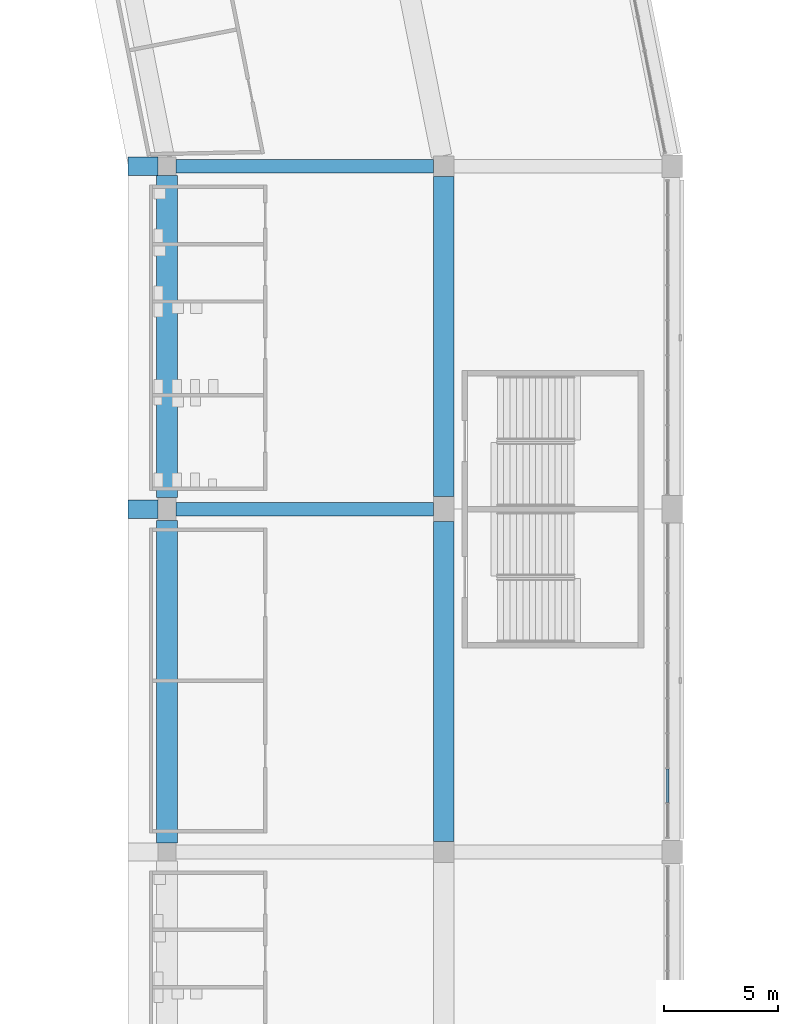
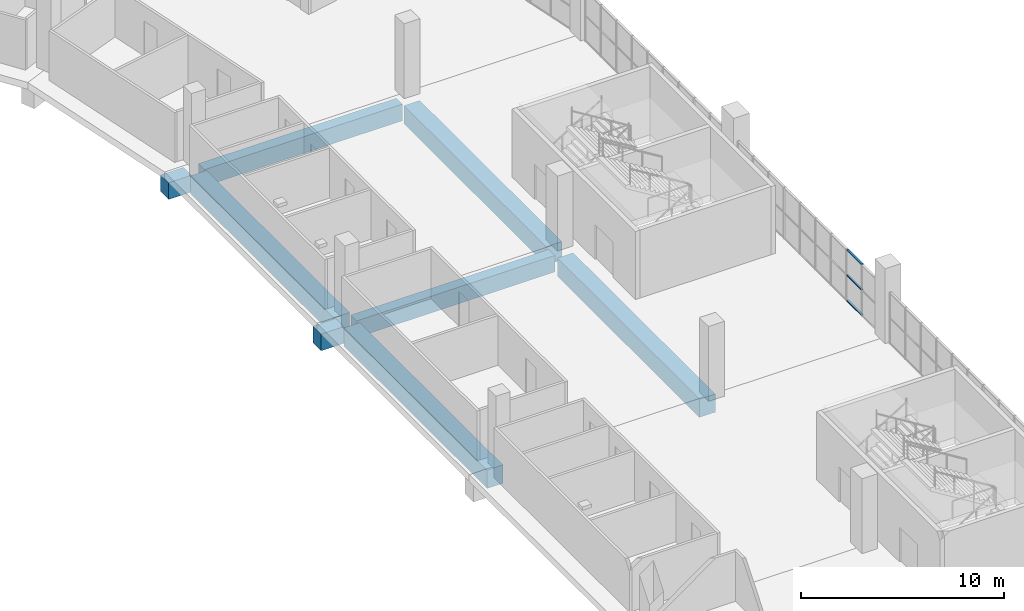
# One storey, part 48 of 199: 8 beams, 3 members, 1 element without a shape of its own.
"""IFC4 building model written with IfcOpenShell, lengths in metres."""

from ifc_helpers import new_model, si_unit, direction, frame, origin, origin_2d, place, context, subcontext, project, spatial, rectangle, extrude, material, material_profile, profile_set, type_object, element, aggregate, save


model = new_model("IFC4")

# Units and contexts
model_context = context("Model", 3, precision=1e-05, world=origin(), true_north=direction((0.0, 1.0)))
body_context = subcontext(model_context, "Body", "Model", "MODEL_VIEW")
ifc_project = project(units=[si_unit("LENGTHUNIT", "METRE"), si_unit("AREAUNIT", "SQUARE_METRE"), si_unit("VOLUMEUNIT", "CUBIC_METRE"), si_unit("PLANEANGLEUNIT", "RADIAN"), si_unit("MASSUNIT", "GRAM", prefix="KILO")], contexts=[model_context])

# Site, building, storey
site_placement = place(None, origin())
site = spatial("IfcSite", under=ifc_project, at=site_placement, CompositionType="ELEMENT")
building_placement = place(site_placement, origin())
building = spatial("IfcBuilding", under=site, at=building_placement, Name="Ogive Plaza Stadium", CompositionType="ELEMENT")
storey_placement = place(building_placement, frame((0.0, 0.0, 4.5)))
storey = spatial("IfcBuildingStorey", under=building, at=storey_placement, Name="L01", CompositionType="ELEMENT", Elevation=4.5)

# Curtain wall, members
ifc_material_1 = material(Name="Bronze-anodised aluminium with laminated glass", Category="aluminium")
curtain_wall_type = type_object("IfcCurtainWallType", Name="Lancet curtain wall", PredefinedType="NOTDEFINED", material=ifc_material_1)
curtain_wall_placement = place(storey_placement, origin())
curtain_wall = element("IfcCurtainWall", 1, at=curtain_wall_placement, inside=storey, type_object=curtain_wall_type, Name="CURTAIN WALL B02 L01", PredefinedType="NOTDEFINED")
ifc_material_2 = material(Name="Bronze-anodised aluminium", Category="aluminium")
ifc_material_profile_1 = material_profile(ifc_material_2, rectangle(XDim=0.1201171875, YDim=0.050048828125, at=origin_2d()), Name="AL 120x50")
ifc_profile_set_1 = profile_set([ifc_material_profile_1], Name="Bronze-anodised aluminium")
member_type = type_object("IfcMemberType", Name="Curtain wall transom 50x120", PredefinedType="USERDEFINED", material=ifc_profile_set_1)
member_1_placement = place(storey_placement, frame((83.800048828125, 26.1416015625, 0.02490234375), z_axis=(0.0, -1.0, 0.0), x_axis=(1.0, 0.0, 0.0)))
member_1 = element("IfcMember", 2, at=member_1_placement, type_object=member_type, Name="CW-B02-L01 transom 8.1", ObjectType="TRANSOM", PredefinedType="USERDEFINED", context=body_context, shape_type="SweptSolid", body=[
    extrude(rectangle(XDim=0.1201171875, YDim=0.050048828125, at=origin_2d()), origin(), (0.0, 0.0, 1.0), 1.483154296875),
])
member_2_placement = place(storey_placement, frame((83.800048828125, 26.1416015625, 1.544921875), z_axis=(0.0, -1.0, 0.0), x_axis=(1.0, 0.0, 0.0)))
member_2 = element("IfcMember", 3, at=member_2_placement, type_object=member_type, Name="CW-B02-L01 transom 8.2", ObjectType="TRANSOM", PredefinedType="USERDEFINED", context=body_context, shape_type="SweptSolid", body=[
    extrude(rectangle(XDim=0.1201171875, YDim=0.050048828125, at=origin_2d()), origin(), (0.0, 0.0, 1.0), 1.483154296875),
])
member_3_placement = place(storey_placement, frame((83.800048828125, 26.1416015625, 3.06494140625), z_axis=(0.0, -1.0, 0.0), x_axis=(1.0, 0.0, 0.0)))
member_3 = element("IfcMember", 4, at=member_3_placement, type_object=member_type, Name="CW-B02-L01 transom 8.3", ObjectType="TRANSOM", PredefinedType="USERDEFINED", context=body_context, shape_type="SweptSolid", body=[
    extrude(rectangle(XDim=0.1201171875, YDim=0.050048828125, at=origin_2d()), origin(), (0.0, 0.0, 1.0), 1.483154296875),
])
aggregate(curtain_wall, [member_1, member_2, member_3])

# Beams
ifc_material_3 = material(Name="Concrete C40/50", Category="concrete")
ifc_material_profile_2 = material_profile(ifc_material_3, rectangle(XDim=0.60009765625, YDim=1.0, at=origin_2d()), Name="RC 600x1000")
ifc_profile_set_2 = profile_set([ifc_material_profile_2], Name="Concrete C40/50")
beam_type_1 = type_object("IfcBeamType", Name="RC radial beam 600x1000", PredefinedType="BEAM", material=ifc_profile_set_2)
for number, where, z_axis, x_axis, name in (
    (5, (62.300048828125, 52.5, -0.909912109375), (1.0, 0.0, 0.0), (0.0, 1.0, 0.0), "Radial beam L01 R01 F3F4"),
    (6, (62.300048828125, 37.5, -0.909912109375), (1.0, 0.0, 0.0), (0.0, 1.0, 0.0), "Radial beam L01 R02 F3F4"),
):
    element("IfcBeam", number, at=place(storey_placement, frame(where, z_axis=z_axis, x_axis=x_axis)), inside=storey, type_object=beam_type_1, Name=name, PredefinedType="BEAM", context=body_context, shape_type="SweptSolid", body=[
        extrude(rectangle(XDim=0.60009765625, YDim=1.0, at=origin_2d()), origin(), (0.0, 0.0, 1.0), 11.25),
    ])
ifc_material_4 = material(Name="Concrete C40/50", Category="concrete")
ifc_material_profile_3 = material_profile(ifc_material_4, rectangle(XDim=0.800048828125, YDim=1.0, at=origin_2d()), Name="RC 800x1000")
ifc_profile_set_3 = profile_set([ifc_material_profile_3], Name="Concrete C40/50")
beam_type_2 = type_object("IfcBeamType", Name="RC radial beam 800x1000", PredefinedType="BEAM", material=ifc_profile_set_3)
for number, where, z_axis, x_axis, name in (
    (7, (60.199951171875, 52.5, -0.909912109375), (1.0, 0.0, 0.0), (0.0, 1.0, 0.0), "Raker tail beam LT R01"),
    (8, (60.199951171875, 37.5, -0.909912109375), (1.0, 0.0, 0.0), (0.0, 1.0, 0.0), "Raker tail beam LT R02"),
):
    element("IfcBeam", number, at=place(storey_placement, frame(where, z_axis=z_axis, x_axis=x_axis)), inside=storey, type_object=beam_type_2, Name=name, PredefinedType="BEAM", context=body_context, shape_type="SweptSolid", body=[
        extrude(rectangle(XDim=0.800048828125, YDim=1.0, at=origin_2d()), origin(), (0.0, 0.0, 1.0), 1.300048828125),
    ])
ifc_material_5 = material(Name="Concrete C40/50", Category="concrete")
ifc_material_profile_4 = material_profile(ifc_material_5, rectangle(XDim=0.89990234375, YDim=1.10009765625, at=origin_2d()), Name="RC 900x1100")
ifc_profile_set_4 = profile_set([ifc_material_profile_4], Name="Concrete C40/50")
beam_type_3 = type_object("IfcBeamType", Name="RC ring beam 900x1100", PredefinedType="BEAM", material=ifc_profile_set_4)
beam_1_placement = place(storey_placement, frame((74.0, 52.050048828125, -0.9599609375), z_axis=(0.0, -1.0, 0.0), x_axis=(1.0, 0.0, 0.0)))
element("IfcBeam", 9, at=beam_1_placement, inside=storey, type_object=beam_type_3, Name="Ring beam F4 L01 B01", PredefinedType="BEAM", context=body_context, shape_type="SweptSolid", body=[
    extrude(rectangle(XDim=0.89990234375, YDim=1.10009765625, at=origin_2d()), origin(), (0.0, 0.0, 1.0), 14.0),
])
beam_2_placement = place(storey_placement, frame((61.89990234375, 52.10009765625, -0.9599609375), z_axis=(0.0, -1.0, 0.0), x_axis=(1.0, 0.0, 0.0)))
element("IfcBeam", 10, at=beam_2_placement, inside=storey, type_object=beam_type_3, Name="Ring beam F3 L01 B01", PredefinedType="BEAM", context=body_context, shape_type="SweptSolid", body=[
    extrude(rectangle(XDim=0.89990234375, YDim=1.10009765625, at=origin_2d()), origin(), (0.0, 0.0, 1.0), 14.10009765625),
])
beam_3_placement = place(storey_placement, frame((74.0, 36.949951171875, -0.9599609375), z_axis=(0.0, -1.0, 0.0), x_axis=(1.0, 0.0, 0.0)))
element("IfcBeam", 11, at=beam_3_placement, inside=storey, type_object=beam_type_3, Name="Ring beam F4 L01 B02", PredefinedType="BEAM", context=body_context, shape_type="SweptSolid", body=[
    extrude(rectangle(XDim=0.89990234375, YDim=1.10009765625, at=origin_2d()), origin(), (0.0, 0.0, 1.0), 14.0),
])
beam_4_placement = place(storey_placement, frame((61.89990234375, 37.0, -0.9599609375), z_axis=(0.0, -1.0, 0.0), x_axis=(1.0, 0.0, 0.0)))
element("IfcBeam", 12, at=beam_4_placement, inside=storey, type_object=beam_type_3, Name="Ring beam F3 L01 B02", PredefinedType="BEAM", context=body_context, shape_type="SweptSolid", body=[
    extrude(rectangle(XDim=0.89990234375, YDim=1.10009765625, at=origin_2d()), origin(), (0.0, 0.0, 1.0), 14.10009765625),
])

save(model, "model.ifc")
